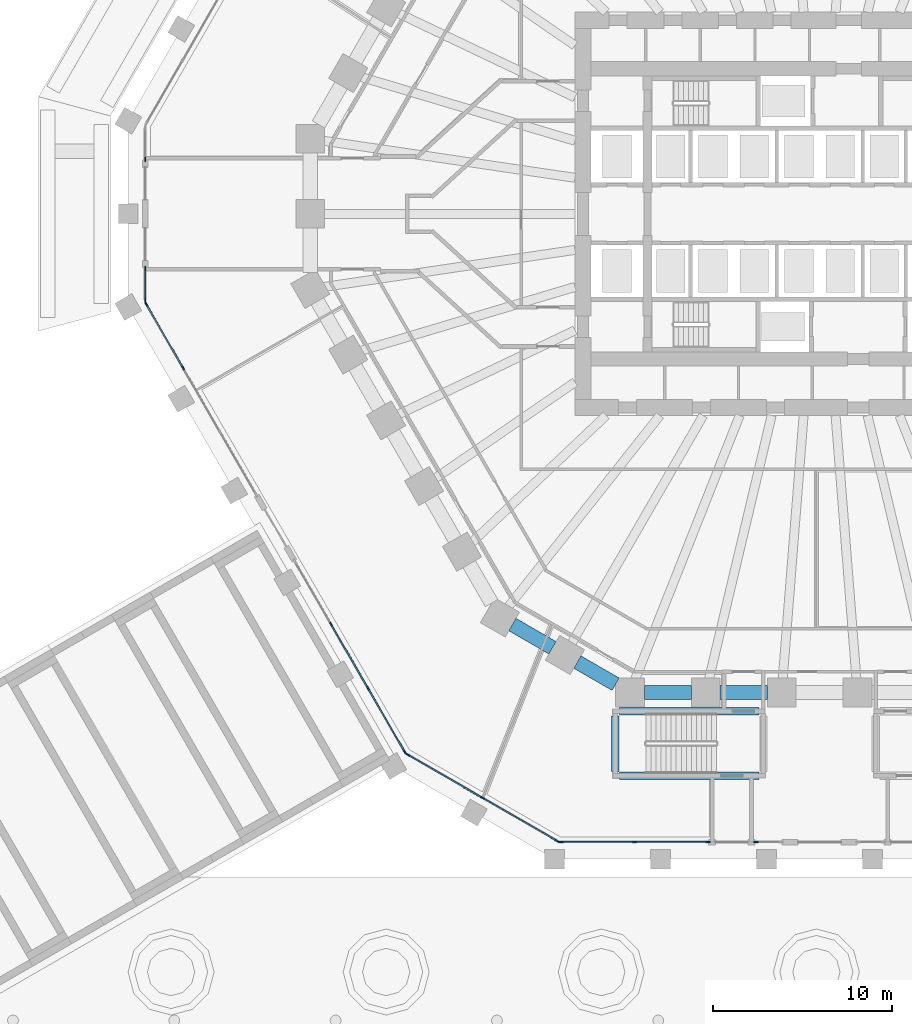
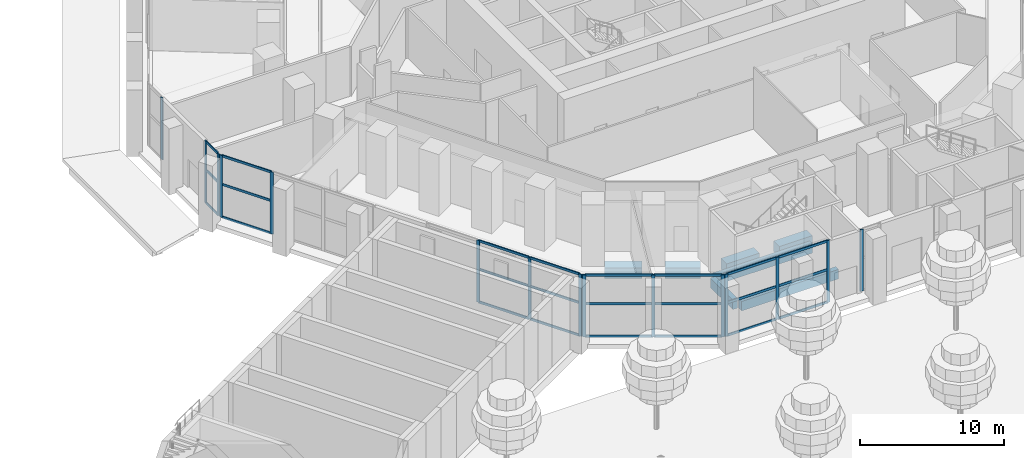
# One storey, part 4 of 44: 39 members, 7 beams, 7 elements without a shape of their own.
"""IFC4 building model written with IfcOpenShell, lengths in metres."""

from ifc_helpers import new_model, si_unit, direction, frame, origin, origin_2d, place, context, subcontext, project, spatial, rectangle, extrude, material, material_profile, profile_set, type_object, element, aggregate, save


model = new_model("IFC4")

# Units and contexts
model_context = context("Model", 3, precision=1e-05, world=origin(), true_north=direction((0.0, 1.0)))
body_context = subcontext(model_context, "Body", "Model", "MODEL_VIEW")
ifc_project = project(units=[si_unit("LENGTHUNIT", "METRE"), si_unit("AREAUNIT", "SQUARE_METRE"), si_unit("VOLUMEUNIT", "CUBIC_METRE"), si_unit("PLANEANGLEUNIT", "RADIAN"), si_unit("MASSUNIT", "GRAM", prefix="KILO")], contexts=[model_context])

# Site, building, storey
site_placement = place(None, origin())
site = spatial("IfcSite", under=ifc_project, at=site_placement, CompositionType="ELEMENT")
building_placement = place(site_placement, origin())
building = spatial("IfcBuilding", under=site, at=building_placement, Name="Frailejon Research Tower", CompositionType="ELEMENT")
storey_placement = place(building_placement, origin())
storey = spatial("IfcBuildingStorey", under=building, at=storey_placement, Name="L00", CompositionType="ELEMENT", Elevation=0.0)

# Curtain wall, member
ifc_material_1 = material(Name="Aluminium curtain wall", Category="aluminium")
curtain_wall_type = type_object("IfcCurtainWallType", Name="Lobby atrium curtain wall system", PredefinedType="NOTDEFINED", material=ifc_material_1)
curtain_wall_1_placement = place(storey_placement, origin())
curtain_wall_1 = element("IfcCurtainWall", 1, at=curtain_wall_1_placement, inside=storey, type_object=curtain_wall_type, Name="Curtain wall L00", PredefinedType="NOTDEFINED")
ifc_material_2 = material(Name="Aluminium extrusion", Category="aluminium")
ifc_material_profile_1 = material_profile(ifc_material_2, rectangle(XDim=0.080078125, YDim=0.25, at=origin_2d()), Name="Lobby atrium curtain wall mullion 80x250")
ifc_profile_set_1 = profile_set([ifc_material_profile_1], Name="Aluminium extrusion")
member_type_1 = type_object("IfcMemberType", Name="Lobby atrium curtain wall mullion 80x250", PredefinedType="MULLION", material=ifc_profile_set_1)
member_1_placement = place(storey_placement, frame((-37.619140625, 3.0400390625, 0.0), z_axis=(0.0, 0.0, 1.0), x_axis=(1.0, 0.0, 0.0)))
member_1 = element("IfcMember", 2, at=member_1_placement, type_object=member_type_1, Name="CW1-011 mullion 2", PredefinedType="MULLION", context=body_context, shape_type="SweptSolid", body=[
    extrude(rectangle(XDim=0.080078125, YDim=0.25, at=origin_2d()), origin(), (0.0, 0.0, 1.0), 5.25),
])
aggregate(curtain_wall_1, [member_1])

# Curtain wall, members
curtain_wall_2_placement = place(storey_placement, origin())
curtain_wall_2 = element("IfcCurtainWall", 3, at=curtain_wall_2_placement, inside=storey, type_object=curtain_wall_type, Name="Curtain wall L00", PredefinedType="NOTDEFINED")
member_2_placement = place(storey_placement, frame((-37.619140625, -3.0400390625, 0.0), z_axis=(0.0, 0.0, 1.0), x_axis=(1.0, 0.0, 0.0)))
member_2 = element("IfcMember", 4, at=member_2_placement, type_object=member_type_1, Name="CW1-012 mullion 1", PredefinedType="MULLION", context=body_context, shape_type="SweptSolid", body=[
    extrude(rectangle(XDim=0.080078125, YDim=0.25, at=origin_2d()), origin(), (0.0, 0.0, 1.0), 5.25),
])
member_3_placement = place(storey_placement, frame((-37.619140625, -4.801513671875, 0.0), z_axis=(0.0, 0.0, 1.0), x_axis=(1.0, 0.0, 0.0)))
member_3 = element("IfcMember", 5, at=member_3_placement, type_object=member_type_1, Name="CW1-012 mullion 2", PredefinedType="MULLION", context=body_context, shape_type="SweptSolid", body=[
    extrude(rectangle(XDim=0.080078125, YDim=0.25, at=origin_2d()), origin(), (0.0, 0.0, 1.0), 5.25),
])

curtain_wall_3_placement = place(storey_placement, origin())
curtain_wall_3 = element("IfcCurtainWall", 6, at=curtain_wall_3_placement, inside=storey, type_object=curtain_wall_type, Name="Curtain wall L00", PredefinedType="NOTDEFINED")
member_4_placement = place(storey_placement, frame((-37.54931640625, -5.062744140625, 0.0), z_axis=(0.0, 0.0, 1.0), x_axis=(0.866025541081, 0.499999762196, 0.0)))
member_4 = element("IfcMember", 7, at=member_4_placement, type_object=member_type_1, Name="CW1-013 mullion 1", PredefinedType="MULLION", context=body_context, shape_type="SweptSolid", body=[
    extrude(rectangle(XDim=0.080078125, YDim=0.25, at=origin_2d()), origin(), (0.0, 0.0, 1.0), 5.25),
])
member_5_placement = place(storey_placement, frame((-35.51416015625, -8.587646484375, 0.0), z_axis=(0.0, 0.0, 1.0), x_axis=(0.866025541081, 0.499999762196, 0.0)))
member_5 = element("IfcMember", 8, at=member_5_placement, type_object=member_type_1, Name="CW1-013 mullion 2", PredefinedType="MULLION", context=body_context, shape_type="SweptSolid", body=[
    extrude(rectangle(XDim=0.080078125, YDim=0.25, at=origin_2d()), origin(), (0.0, 0.0, 1.0), 5.25),
])

curtain_wall_4_placement = place(storey_placement, origin())
curtain_wall_4 = element("IfcCurtainWall", 9, at=curtain_wall_4_placement, inside=storey, type_object=curtain_wall_type, Name="Curtain wall L00", PredefinedType="NOTDEFINED")
member_6_placement = place(storey_placement, frame((-27.249267578125, -22.903076171875, 0.0), z_axis=(0.0, 0.0, 1.0), x_axis=(0.866025541081, 0.499999762196, 0.0)))
member_6 = element("IfcMember", 10, at=member_6_placement, type_object=member_type_1, Name="CW1-014 mullion 2", PredefinedType="MULLION", context=body_context, shape_type="SweptSolid", body=[
    extrude(rectangle(XDim=0.080078125, YDim=0.25, at=origin_2d()), origin(), (0.0, 0.0, 1.0), 5.25),
])
member_7_placement = place(storey_placement, frame((-25.194091796875, -26.46240234375, 0.0), z_axis=(0.0, 0.0, 1.0), x_axis=(0.866025541081, 0.499999762196, 0.0)))
member_7 = element("IfcMember", 11, at=member_7_placement, type_object=member_type_1, Name="CW1-014 mullion 3", PredefinedType="MULLION", context=body_context, shape_type="SweptSolid", body=[
    extrude(rectangle(XDim=0.080078125, YDim=0.25, at=origin_2d()), origin(), (0.0, 0.0, 1.0), 5.25),
])
member_8_placement = place(storey_placement, frame((-23.1591796875, -29.987060546875, 0.0), z_axis=(0.0, 0.0, 1.0), x_axis=(0.866025541081, 0.499999762196, 0.0)))
member_8 = element("IfcMember", 12, at=member_8_placement, type_object=member_type_1, Name="CW1-014 mullion 4", PredefinedType="MULLION", context=body_context, shape_type="SweptSolid", body=[
    extrude(rectangle(XDim=0.080078125, YDim=0.25, at=origin_2d()), origin(), (0.0, 0.0, 1.0), 5.25),
])

curtain_wall_5_placement = place(storey_placement, origin())
curtain_wall_5 = element("IfcCurtainWall", 13, at=curtain_wall_5_placement, inside=storey, type_object=curtain_wall_type, Name="Curtain wall L00", PredefinedType="NOTDEFINED")
member_9_placement = place(storey_placement, frame((-22.968017578125, -30.178466796875, 0.0), z_axis=(0.0, 0.0, 1.0), x_axis=(0.499999874334, 0.866025476338, 0.0)))
member_9 = element("IfcMember", 14, at=member_9_placement, type_object=member_type_1, Name="CW1-015 mullion 1", PredefinedType="MULLION", context=body_context, shape_type="SweptSolid", body=[
    extrude(rectangle(XDim=0.080078125, YDim=0.25, at=origin_2d()), origin(), (0.0, 0.0, 1.0), 5.25),
])
member_10_placement = place(storey_placement, frame((-18.8095703125, -32.5791015625, 0.0), z_axis=(0.0, 0.0, 1.0), x_axis=(0.499999874334, 0.866025476338, 0.0)))
member_10 = element("IfcMember", 15, at=member_10_placement, type_object=member_type_1, Name="CW1-015 mullion 2", PredefinedType="MULLION", context=body_context, shape_type="SweptSolid", body=[
    extrude(rectangle(XDim=0.080078125, YDim=0.25, at=origin_2d()), origin(), (0.0, 0.0, 1.0), 5.25),
])
member_11_placement = place(storey_placement, frame((-14.6513671875, -34.97998046875, 0.0), z_axis=(0.0, 0.0, 1.0), x_axis=(0.499999874334, 0.866025476338, 0.0)))
member_11 = element("IfcMember", 16, at=member_11_placement, type_object=member_type_1, Name="CW1-015 mullion 3", PredefinedType="MULLION", context=body_context, shape_type="SweptSolid", body=[
    extrude(rectangle(XDim=0.080078125, YDim=0.25, at=origin_2d()), origin(), (0.0, 0.0, 1.0), 5.25),
])

curtain_wall_6_placement = place(storey_placement, origin())
curtain_wall_6 = element("IfcCurtainWall", 17, at=curtain_wall_6_placement, inside=storey, type_object=curtain_wall_type, Name="Curtain wall L00", PredefinedType="NOTDEFINED")
member_12_placement = place(storey_placement, frame((-14.39013671875, -35.050048828125, 0.0), z_axis=(0.0, 0.0, 1.0), x_axis=(0.0, 1.0, 0.0)))
member_12 = element("IfcMember", 18, at=member_12_placement, type_object=member_type_1, Name="CW1-016 mullion 1", PredefinedType="MULLION", context=body_context, shape_type="SweptSolid", body=[
    extrude(rectangle(XDim=0.080078125, YDim=0.25, at=origin_2d()), origin(), (0.0, 0.0, 1.0), 5.25),
])
member_13_placement = place(storey_placement, frame((-10.3134765625, -35.050048828125, 0.0), z_axis=(0.0, 0.0, 1.0), x_axis=(0.0, 1.0, 0.0)))
member_13 = element("IfcMember", 19, at=member_13_placement, type_object=member_type_1, Name="CW1-016 mullion 2", PredefinedType="MULLION", context=body_context, shape_type="SweptSolid", body=[
    extrude(rectangle(XDim=0.080078125, YDim=0.25, at=origin_2d()), origin(), (0.0, 0.0, 1.0), 5.25),
])
member_14_placement = place(storey_placement, frame((-6.237060546875, -35.050048828125, 0.0), z_axis=(0.0, 0.0, 1.0), x_axis=(0.0, 1.0, 0.0)))
member_14 = element("IfcMember", 20, at=member_14_placement, type_object=member_type_1, Name="CW1-016 mullion 3", PredefinedType="MULLION", context=body_context, shape_type="SweptSolid", body=[
    extrude(rectangle(XDim=0.080078125, YDim=0.25, at=origin_2d()), origin(), (0.0, 0.0, 1.0), 5.25),
])

# Curtain wall, member
curtain_wall_7_placement = place(storey_placement, origin())
curtain_wall_7 = element("IfcCurtainWall", 21, at=curtain_wall_7_placement, inside=storey, type_object=curtain_wall_type, Name="Curtain wall L00", PredefinedType="NOTDEFINED")
member_15_placement = place(storey_placement, frame((-3.556884765625, -35.050048828125, 0.0), z_axis=(0.0, 0.0, 1.0), x_axis=(0.0, 1.0, 0.0)))
member_15 = element("IfcMember", 22, at=member_15_placement, type_object=member_type_1, Name="CW1-X04 mullion 1", PredefinedType="MULLION", context=body_context, shape_type="SweptSolid", body=[
    extrude(rectangle(XDim=0.080078125, YDim=0.25, at=origin_2d()), origin(), (0.0, 0.0, 1.0), 5.25),
])
aggregate(curtain_wall_7, [member_15])

# Member
ifc_material_3 = material(Name="Aluminium extrusion", Category="aluminium")
ifc_material_profile_2 = material_profile(ifc_material_3, rectangle(XDim=0.080078125, YDim=0.199951171875, at=origin_2d()), Name="Lobby atrium curtain wall transom 80x200")
ifc_profile_set_2 = profile_set([ifc_material_profile_2], Name="Aluminium extrusion")
member_type_2 = type_object("IfcMemberType", Name="Lobby atrium curtain wall transom 80x200", PredefinedType="USERDEFINED", material=ifc_profile_set_2)
member_16_placement = place(storey_placement, frame((-37.619140625, -3.080078125, 0.0400390625), z_axis=(0.0, -1.0, 0.0), x_axis=(1.0, 0.0, 0.0)))
member_16 = element("IfcMember", 23, at=member_16_placement, type_object=member_type_2, Name="CW1-012 transom 1.1", ObjectType="TRANSOM", PredefinedType="USERDEFINED", context=body_context, shape_type="SweptSolid", body=[
    extrude(rectangle(XDim=0.080078125, YDim=0.199951171875, at=origin_2d()), origin(), (0.0, 0.0, 1.0), 1.681640625),
])

member_17_placement = place(storey_placement, frame((-37.619140625, -3.080078125, 2.800048828125), z_axis=(0.0, -1.0, 0.0), x_axis=(1.0, 0.0, 0.0)))
member_17 = element("IfcMember", 24, at=member_17_placement, type_object=member_type_2, Name="CW1-012 transom 1.2", ObjectType="TRANSOM", PredefinedType="USERDEFINED", context=body_context, shape_type="SweptSolid", body=[
    extrude(rectangle(XDim=0.080078125, YDim=0.199951171875, at=origin_2d()), origin(), (0.0, 0.0, 1.0), 1.681640625),
])

member_18_placement = place(storey_placement, frame((-37.619140625, -3.080078125, 5.2099609375), z_axis=(0.0, -1.0, 0.0), x_axis=(1.0, 0.0, 0.0)))
member_18 = element("IfcMember", 25, at=member_18_placement, type_object=member_type_2, Name="CW1-012 transom 1.3", ObjectType="TRANSOM", PredefinedType="USERDEFINED", context=body_context, shape_type="SweptSolid", body=[
    extrude(rectangle(XDim=0.080078125, YDim=0.199951171875, at=origin_2d()), origin(), (0.0, 0.0, 1.0), 1.681640625),
])

aggregate(curtain_wall_2, [member_2, member_3, member_16, member_17, member_18])

member_19_placement = place(storey_placement, frame((-37.529296875, -5.097412109375, 0.0400390625), z_axis=(0.500008456887, -0.866020521143, 0.0), x_axis=(0.866020521143, 0.500008456887, 0.0)))
member_19 = element("IfcMember", 26, at=member_19_placement, type_object=member_type_2, Name="CW1-013 transom 1.1", ObjectType="TRANSOM", PredefinedType="USERDEFINED", context=body_context, shape_type="SweptSolid", body=[
    extrude(rectangle(XDim=0.080078125, YDim=0.199951171875, at=origin_2d()), origin(), (0.0, 0.0, 1.0), 3.990234375),
])

member_20_placement = place(storey_placement, frame((-37.529296875, -5.097412109375, 2.800048828125), z_axis=(0.500008456887, -0.866020521143, 0.0), x_axis=(0.866020521143, 0.500008456887, 0.0)))
member_20 = element("IfcMember", 27, at=member_20_placement, type_object=member_type_2, Name="CW1-013 transom 1.2", ObjectType="TRANSOM", PredefinedType="USERDEFINED", context=body_context, shape_type="SweptSolid", body=[
    extrude(rectangle(XDim=0.080078125, YDim=0.199951171875, at=origin_2d()), origin(), (0.0, 0.0, 1.0), 3.990234375),
])

member_21_placement = place(storey_placement, frame((-37.529296875, -5.097412109375, 5.2099609375), z_axis=(0.500008456887, -0.866020521143, 0.0), x_axis=(0.866020521143, 0.500008456887, 0.0)))
member_21 = element("IfcMember", 28, at=member_21_placement, type_object=member_type_2, Name="CW1-013 transom 1.3", ObjectType="TRANSOM", PredefinedType="USERDEFINED", context=body_context, shape_type="SweptSolid", body=[
    extrude(rectangle(XDim=0.080078125, YDim=0.199951171875, at=origin_2d()), origin(), (0.0, 0.0, 1.0), 3.990234375),
])

aggregate(curtain_wall_3, [member_4, member_5, member_19, member_20, member_21])

member_22_placement = place(storey_placement, frame((-27.229248046875, -22.937744140625, 0.0400390625), z_axis=(0.500035344125, -0.866004996883, 0.0), x_axis=(0.866004996883, 0.500035344125, 0.0)))
member_22 = element("IfcMember", 29, at=member_22_placement, type_object=member_type_2, Name="CW1-014 transom 2.1", ObjectType="TRANSOM", PredefinedType="USERDEFINED", context=body_context, shape_type="SweptSolid", body=[
    extrude(rectangle(XDim=0.080078125, YDim=0.199951171875, at=origin_2d()), origin(), (0.0, 0.0, 1.0), 4.030029296875),
])

member_23_placement = place(storey_placement, frame((-27.229248046875, -22.937744140625, 2.800048828125), z_axis=(0.500035344125, -0.866004996883, 0.0), x_axis=(0.866004996883, 0.500035344125, 0.0)))
member_23 = element("IfcMember", 30, at=member_23_placement, type_object=member_type_2, Name="CW1-014 transom 2.2", ObjectType="TRANSOM", PredefinedType="USERDEFINED", context=body_context, shape_type="SweptSolid", body=[
    extrude(rectangle(XDim=0.080078125, YDim=0.199951171875, at=origin_2d()), origin(), (0.0, 0.0, 1.0), 4.030029296875),
])

member_24_placement = place(storey_placement, frame((-27.229248046875, -22.937744140625, 5.2099609375), z_axis=(0.500035344125, -0.866004996883, 0.0), x_axis=(0.866004996883, 0.500035344125, 0.0)))
member_24 = element("IfcMember", 31, at=member_24_placement, type_object=member_type_2, Name="CW1-014 transom 2.3", ObjectType="TRANSOM", PredefinedType="USERDEFINED", context=body_context, shape_type="SweptSolid", body=[
    extrude(rectangle(XDim=0.080078125, YDim=0.199951171875, at=origin_2d()), origin(), (0.0, 0.0, 1.0), 4.030029296875),
])

member_25_placement = place(storey_placement, frame((-25.17431640625, -26.4970703125, 0.0400390625), z_axis=(0.500008456887, -0.866020521143, 0.0), x_axis=(0.866020521143, 0.500008456887, 0.0)))
member_25 = element("IfcMember", 32, at=member_25_placement, type_object=member_type_2, Name="CW1-014 transom 3.1", ObjectType="TRANSOM", PredefinedType="USERDEFINED", context=body_context, shape_type="SweptSolid", body=[
    extrude(rectangle(XDim=0.080078125, YDim=0.199951171875, at=origin_2d()), origin(), (0.0, 0.0, 1.0), 3.990234375),
])

member_26_placement = place(storey_placement, frame((-25.17431640625, -26.4970703125, 2.800048828125), z_axis=(0.500008456887, -0.866020521143, 0.0), x_axis=(0.866020521143, 0.500008456887, 0.0)))
member_26 = element("IfcMember", 33, at=member_26_placement, type_object=member_type_2, Name="CW1-014 transom 3.2", ObjectType="TRANSOM", PredefinedType="USERDEFINED", context=body_context, shape_type="SweptSolid", body=[
    extrude(rectangle(XDim=0.080078125, YDim=0.199951171875, at=origin_2d()), origin(), (0.0, 0.0, 1.0), 3.990234375),
])

member_27_placement = place(storey_placement, frame((-25.17431640625, -26.4970703125, 5.2099609375), z_axis=(0.500008456887, -0.866020521143, 0.0), x_axis=(0.866020521143, 0.500008456887, 0.0)))
member_27 = element("IfcMember", 34, at=member_27_placement, type_object=member_type_2, Name="CW1-014 transom 3.3", ObjectType="TRANSOM", PredefinedType="USERDEFINED", context=body_context, shape_type="SweptSolid", body=[
    extrude(rectangle(XDim=0.080078125, YDim=0.199951171875, at=origin_2d()), origin(), (0.0, 0.0, 1.0), 3.990234375),
])

aggregate(curtain_wall_4, [member_6, member_7, member_8, member_22, member_23, member_24, member_25, member_26, member_27])

member_28_placement = place(storey_placement, frame((-22.933349609375, -30.198486328125, 0.0400390625), z_axis=(0.866048680801, -0.499959680857, 0.0), x_axis=(0.499959680857, 0.866048680801, 0.0)))
member_28 = element("IfcMember", 35, at=member_28_placement, type_object=member_type_2, Name="CW1-015 transom 1.1", ObjectType="TRANSOM", PredefinedType="USERDEFINED", context=body_context, shape_type="SweptSolid", body=[
    extrude(rectangle(XDim=0.080078125, YDim=0.199951171875, at=origin_2d()), origin(), (0.0, 0.0, 1.0), 4.7216796875),
])

member_29_placement = place(storey_placement, frame((-22.933349609375, -30.198486328125, 2.800048828125), z_axis=(0.866048680801, -0.499959680857, 0.0), x_axis=(0.499959680857, 0.866048680801, 0.0)))
member_29 = element("IfcMember", 36, at=member_29_placement, type_object=member_type_2, Name="CW1-015 transom 1.2", ObjectType="TRANSOM", PredefinedType="USERDEFINED", context=body_context, shape_type="SweptSolid", body=[
    extrude(rectangle(XDim=0.080078125, YDim=0.199951171875, at=origin_2d()), origin(), (0.0, 0.0, 1.0), 4.7216796875),
])

member_30_placement = place(storey_placement, frame((-22.933349609375, -30.198486328125, 5.2099609375), z_axis=(0.866048680801, -0.499959680857, 0.0), x_axis=(0.499959680857, 0.866048680801, 0.0)))
member_30 = element("IfcMember", 37, at=member_30_placement, type_object=member_type_2, Name="CW1-015 transom 1.3", ObjectType="TRANSOM", PredefinedType="USERDEFINED", context=body_context, shape_type="SweptSolid", body=[
    extrude(rectangle(XDim=0.080078125, YDim=0.199951171875, at=origin_2d()), origin(), (0.0, 0.0, 1.0), 4.7216796875),
])

member_31_placement = place(storey_placement, frame((-18.77490234375, -32.59912109375, 0.0400390625), z_axis=(0.866013364391, -0.500020852261, 0.0), x_axis=(0.500020852261, 0.866013364391, 0.0)))
member_31 = element("IfcMember", 38, at=member_31_placement, type_object=member_type_2, Name="CW1-015 transom 2.1", ObjectType="TRANSOM", PredefinedType="USERDEFINED", context=body_context, shape_type="SweptSolid", body=[
    extrude(rectangle(XDim=0.080078125, YDim=0.199951171875, at=origin_2d()), origin(), (0.0, 0.0, 1.0), 4.721435546875),
])

member_32_placement = place(storey_placement, frame((-18.77490234375, -32.59912109375, 2.800048828125), z_axis=(0.866013364391, -0.500020852261, 0.0), x_axis=(0.500020852261, 0.866013364391, 0.0)))
member_32 = element("IfcMember", 39, at=member_32_placement, type_object=member_type_2, Name="CW1-015 transom 2.2", ObjectType="TRANSOM", PredefinedType="USERDEFINED", context=body_context, shape_type="SweptSolid", body=[
    extrude(rectangle(XDim=0.080078125, YDim=0.199951171875, at=origin_2d()), origin(), (0.0, 0.0, 1.0), 4.721435546875),
])

member_33_placement = place(storey_placement, frame((-18.77490234375, -32.59912109375, 5.2099609375), z_axis=(0.866013364391, -0.500020852261, 0.0), x_axis=(0.500020852261, 0.866013364391, 0.0)))
member_33 = element("IfcMember", 40, at=member_33_placement, type_object=member_type_2, Name="CW1-015 transom 2.3", ObjectType="TRANSOM", PredefinedType="USERDEFINED", context=body_context, shape_type="SweptSolid", body=[
    extrude(rectangle(XDim=0.080078125, YDim=0.199951171875, at=origin_2d()), origin(), (0.0, 0.0, 1.0), 4.721435546875),
])

aggregate(curtain_wall_5, [member_9, member_10, member_11, member_28, member_29, member_30, member_31, member_32, member_33])

member_34_placement = place(storey_placement, frame((-14.35009765625, -35.050048828125, 0.0400390625), z_axis=(1.0, 0.0, 0.0), x_axis=(0.0, 1.0, 0.0)))
member_34 = element("IfcMember", 41, at=member_34_placement, type_object=member_type_2, Name="CW1-016 transom 1.1", ObjectType="TRANSOM", PredefinedType="USERDEFINED", context=body_context, shape_type="SweptSolid", body=[
    extrude(rectangle(XDim=0.080078125, YDim=0.199951171875, at=origin_2d()), origin(), (0.0, 0.0, 1.0), 3.99658203125),
])

member_35_placement = place(storey_placement, frame((-14.35009765625, -35.050048828125, 2.800048828125), z_axis=(1.0, 0.0, 0.0), x_axis=(0.0, 1.0, 0.0)))
member_35 = element("IfcMember", 42, at=member_35_placement, type_object=member_type_2, Name="CW1-016 transom 1.2", ObjectType="TRANSOM", PredefinedType="USERDEFINED", context=body_context, shape_type="SweptSolid", body=[
    extrude(rectangle(XDim=0.080078125, YDim=0.199951171875, at=origin_2d()), origin(), (0.0, 0.0, 1.0), 3.99658203125),
])

member_36_placement = place(storey_placement, frame((-14.35009765625, -35.050048828125, 5.2099609375), z_axis=(1.0, 0.0, 0.0), x_axis=(0.0, 1.0, 0.0)))
member_36 = element("IfcMember", 43, at=member_36_placement, type_object=member_type_2, Name="CW1-016 transom 1.3", ObjectType="TRANSOM", PredefinedType="USERDEFINED", context=body_context, shape_type="SweptSolid", body=[
    extrude(rectangle(XDim=0.080078125, YDim=0.199951171875, at=origin_2d()), origin(), (0.0, 0.0, 1.0), 3.99658203125),
])

member_37_placement = place(storey_placement, frame((-10.2734375, -35.050048828125, 0.0400390625), z_axis=(1.0, 0.0, 0.0), x_axis=(0.0, 1.0, 0.0)))
member_37 = element("IfcMember", 44, at=member_37_placement, type_object=member_type_2, Name="CW1-016 transom 2.1", ObjectType="TRANSOM", PredefinedType="USERDEFINED", context=body_context, shape_type="SweptSolid", body=[
    extrude(rectangle(XDim=0.080078125, YDim=0.199951171875, at=origin_2d()), origin(), (0.0, 0.0, 1.0), 3.996337890625),
])

member_38_placement = place(storey_placement, frame((-10.2734375, -35.050048828125, 2.800048828125), z_axis=(1.0, 0.0, 0.0), x_axis=(0.0, 1.0, 0.0)))
member_38 = element("IfcMember", 45, at=member_38_placement, type_object=member_type_2, Name="CW1-016 transom 2.2", ObjectType="TRANSOM", PredefinedType="USERDEFINED", context=body_context, shape_type="SweptSolid", body=[
    extrude(rectangle(XDim=0.080078125, YDim=0.199951171875, at=origin_2d()), origin(), (0.0, 0.0, 1.0), 3.996337890625),
])

member_39_placement = place(storey_placement, frame((-10.2734375, -35.050048828125, 5.2099609375), z_axis=(1.0, 0.0, 0.0), x_axis=(0.0, 1.0, 0.0)))
member_39 = element("IfcMember", 46, at=member_39_placement, type_object=member_type_2, Name="CW1-016 transom 2.3", ObjectType="TRANSOM", PredefinedType="USERDEFINED", context=body_context, shape_type="SweptSolid", body=[
    extrude(rectangle(XDim=0.080078125, YDim=0.199951171875, at=origin_2d()), origin(), (0.0, 0.0, 1.0), 3.996337890625),
])

aggregate(curtain_wall_6, [member_12, member_13, member_14, member_34, member_35, member_36, member_37, member_38, member_39])

# Beams
ifc_material_4 = material(Name="Concrete C60/75", Category="concrete")
ifc_material_profile_3 = material_profile(ifc_material_4, rectangle(XDim=0.800048828125, YDim=0.89990234375, at=origin_2d()), Name="Podium ring beam")
ifc_profile_set_3 = profile_set([ifc_material_profile_3], Name="Concrete C60/75")
beam_type_1 = type_object("IfcBeamType", Name="Podium ring beam", PredefinedType="BEAM", material=ifc_profile_set_3)
beam_1_placement = place(storey_placement, frame((-17.14013671875, -22.912353515625, -0.800048828125), z_axis=(0.866004899711, -0.500035512416, 0.0), x_axis=(0.500035512416, 0.866004899711, 0.0)))
element("IfcBeam", 47, at=beam_1_placement, inside=storey, type_object=beam_type_1, Name="Podium ring beam", PredefinedType="BEAM", context=body_context, shape_type="SweptSolid", body=[
    extrude(rectangle(XDim=0.800048828125, YDim=0.89990234375, at=origin_2d()), origin(), (0.0, 0.0, 1.0), 2.587646484375),
])
beam_2_placement = place(storey_placement, frame((-13.513671875, -25.006103515625, -0.800048828125), z_axis=(0.86602717807, -0.499996926835, 0.0), x_axis=(0.499996926835, 0.86602717807, 0.0)))
element("IfcBeam", 48, at=beam_2_placement, inside=storey, type_object=beam_type_1, Name="Podium ring beam", PredefinedType="BEAM", context=body_context, shape_type="SweptSolid", body=[
    extrude(rectangle(XDim=0.800048828125, YDim=0.89990234375, at=origin_2d()), origin(), (0.0, 0.0, 1.0), 2.4638671875),
])
for number, where, z_axis, x_axis, name in (
    (49, (-9.77978515625, -26.699951171875, -0.800048828125), (1.0, 0.0, 0.0), (0.0, 1.0, 0.0), "Podium ring beam"),
    (50, (-5.5478515625, -26.699951171875, -0.800048828125), (1.0, 0.0, 0.0), (0.0, 1.0, 0.0), "Podium ring beam"),
):
    element("IfcBeam", number, at=place(storey_placement, frame(where, z_axis=z_axis, x_axis=x_axis)), inside=storey, type_object=beam_type_1, Name=name, PredefinedType="BEAM", context=body_context, shape_type="SweptSolid", body=[
        extrude(rectangle(XDim=0.800048828125, YDim=0.89990234375, at=origin_2d()), origin(), (0.0, 0.0, 1.0), 2.6318359375),
    ])
ifc_material_5 = material(Name="Concrete C60/75", Category="concrete")
ifc_material_profile_4 = material_profile(ifc_material_5, rectangle(XDim=0.39990234375, YDim=0.800048828125, at=origin_2d()), Name="Stair box transfer beam 400x800")
ifc_profile_set_4 = profile_set([ifc_material_profile_4], Name="Concrete C60/75")
beam_type_2 = type_object("IfcBeamType", Name="Stair box transfer beam 400x800", PredefinedType="BEAM", material=ifc_profile_set_4)
beam_3_placement = place(storey_placement, frame((-3.382080078125, -27.75, -0.75), z_axis=(-1.0, 0.0, 0.0), x_axis=(0.0, -1.0, 0.0)))
element("IfcBeam", 51, at=beam_3_placement, inside=storey, type_object=beam_type_2, Name="PS3 box transfer beam 1", PredefinedType="BEAM", context=body_context, shape_type="SweptSolid", body=[
    extrude(rectangle(XDim=0.39990234375, YDim=0.800048828125, at=origin_2d()), origin(), (0.0, 0.0, 1.0), 7.769775390625),
])
beam_4_placement = place(storey_placement, frame((-11.40185546875, -28.0, -0.75), z_axis=(0.0, -1.0, 0.0), x_axis=(1.0, 0.0, 0.0)))
element("IfcBeam", 52, at=beam_4_placement, inside=storey, type_object=beam_type_2, Name="PS3 box transfer beam 2", PredefinedType="BEAM", context=body_context, shape_type="SweptSolid", body=[
    extrude(rectangle(XDim=0.39990234375, YDim=0.800048828125, at=origin_2d()), origin(), (0.0, 0.0, 1.0), 3.10009765625),
])
beam_5_placement = place(storey_placement, frame((-11.15185546875, -31.35009765625, -0.75), z_axis=(1.0, 0.0, 0.0), x_axis=(0.0, 1.0, 0.0)))
element("IfcBeam", 53, at=beam_5_placement, inside=storey, type_object=beam_type_2, Name="PS3 box transfer beam 3", PredefinedType="BEAM", context=body_context, shape_type="SweptSolid", body=[
    extrude(rectangle(XDim=0.39990234375, YDim=0.800048828125, at=origin_2d()), origin(), (0.0, 0.0, 1.0), 7.769775390625),
])

save(model, "model.ifc")
